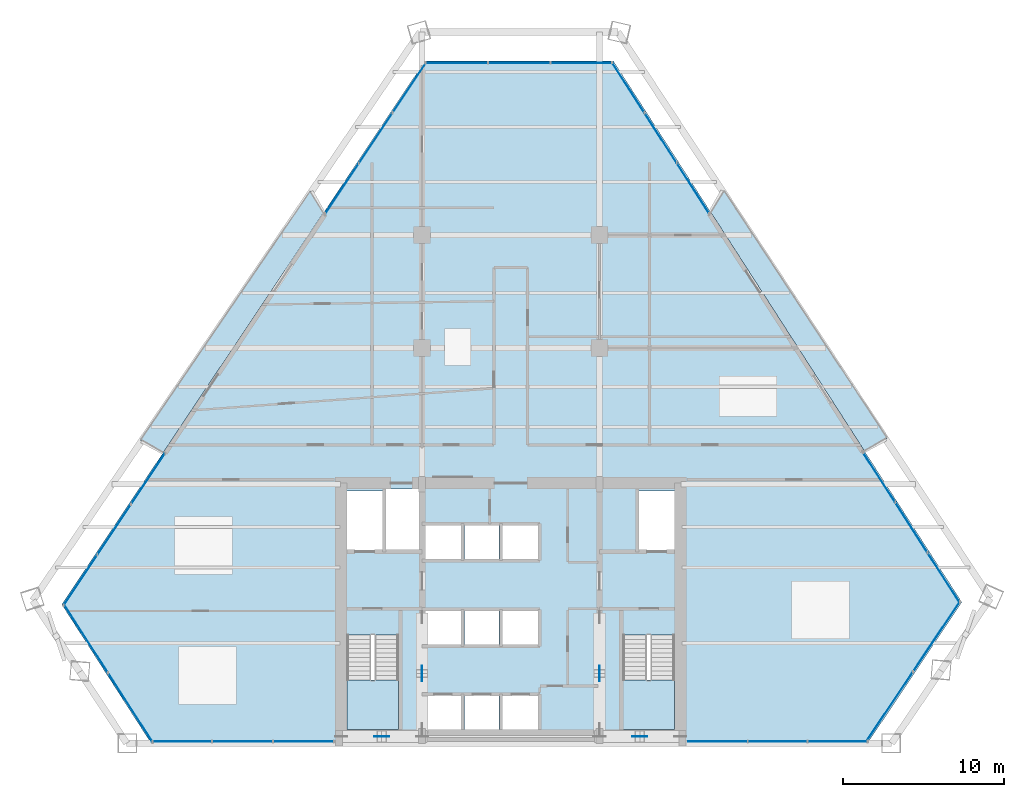
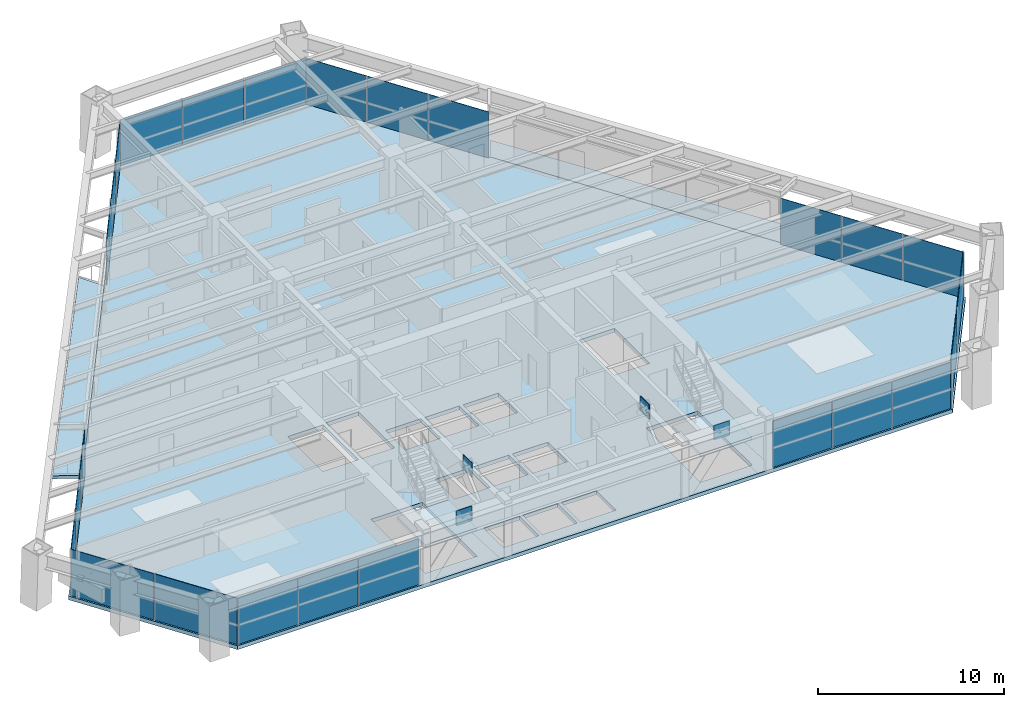
# One storey, part 9 of 14: 29 plates, 5 slabs, 11 elements without a shape of their own.
"""IFC4 building model written with IfcOpenShell, lengths in metres."""

from ifc_helpers import new_model, si_unit, direction, frame, origin, origin_2d, place, context, subcontext, project, spatial, polyline, rectangle, outline, extrude, source, transform, mapped, material, layer, layer_set, type_object, element, aggregate, save


model = new_model("IFC4")

# Units and contexts
model_context = context("Model", 3, precision=1e-05, world=origin(), true_north=direction((0.0, 1.0)))
body_context = subcontext(model_context, "Body", "Model", "MODEL_VIEW")
ifc_project = project(units=[si_unit("LENGTHUNIT", "METRE"), si_unit("AREAUNIT", "SQUARE_METRE"), si_unit("VOLUMEUNIT", "CUBIC_METRE"), si_unit("PLANEANGLEUNIT", "RADIAN"), si_unit("MASSUNIT", "GRAM", prefix="KILO")], contexts=[model_context])

# Site, building, storey
site_placement = place(None, origin())
site = spatial("IfcSite", under=ifc_project, at=site_placement, CompositionType="ELEMENT")
building_placement = place(site_placement, origin())
building = spatial("IfcBuilding", under=site, at=building_placement, Name="Varnakhor Terracotta Tower", CompositionType="ELEMENT")
storey_placement = place(building_placement, frame((0.0, 0.0, 106.199951171875)))
storey = spatial("IfcBuildingStorey", under=building, at=storey_placement, Name="L26", CompositionType="ELEMENT", Elevation=106.199951171875)

# Stair, slab
ifc_material_1 = material(Name="Concrete C40/50", Category="concrete")
stair_type = type_object("IfcStairType", Name="STR-CORE-OFFICE-1500", PredefinedType="HALF_TURN_STAIR", material=ifc_material_1)
stair_1_placement = place(storey_placement, origin())
stair_1 = element("IfcStair", 1, at=stair_1_placement, inside=storey, type_object=stair_type, Name="L26 Core Exit Stair ST-1", PredefinedType="HALF_TURN_STAIR")
ifc_layer_1 = layer(ifc_material_1, 0.179931640625, Name="Concrete C40/50")
ifc_layer_set_1 = layer_set([ifc_layer_1], Name="Concrete C40/50")
slab_type_1 = type_object("IfcSlabType", Name="SLB-LANDING-180", PredefinedType="LANDING", material=ifc_layer_set_1)
slab_1_placement = place(storey_placement, frame((0.0, 0.0, 1.650146484375)))
slab_1 = element("IfcSlab", 2, at=slab_1_placement, type_object=slab_type_1, Name="ST-1 landing 1", PredefinedType="LANDING", context=body_context, shape_type="SweptSolid", body=[
    extrude(outline(polyline([(-10.14990234375, 3.909912109375), (-10.14990234375, 0.85009765625), (-6.949951171875, 0.85009765625), (-6.949951171875, 3.909912109375), (-10.14990234375, 3.909912109375)])), origin(), (0.0, 0.0, 1.0), 0.199951171875),
])
aggregate(stair_1, [slab_1])

stair_2_placement = place(storey_placement, origin())
stair_2 = element("IfcStair", 3, at=stair_2_placement, inside=storey, type_object=stair_type, Name="L26 Core Exit Stair ST-2", PredefinedType="HALF_TURN_STAIR")
slab_2_placement = place(storey_placement, frame((0.0, 0.0, 1.650146484375)))
slab_2 = element("IfcSlab", 4, at=slab_2_placement, type_object=slab_type_1, Name="ST-2 landing 1", PredefinedType="LANDING", context=body_context, shape_type="SweptSolid", body=[
    extrude(outline(polyline([(6.949951171875, 3.909912109375), (6.949951171875, 0.85009765625), (10.14990234375, 0.85009765625), (10.14990234375, 3.909912109375), (6.949951171875, 3.909912109375)])), origin(), (0.0, 0.0, 1.0), 0.199951171875),
])
aggregate(stair_2, [slab_2])

# Slabs
ifc_layer_2 = layer(ifc_material_1, 0.195068359375, Name="Concrete C40/50")
ifc_layer_set_2 = layer_set([ifc_layer_2], Name="Concrete C40/50")
slab_type_2 = type_object("IfcSlabType", Name="SLB-LOGGIA-EXT-195", PredefinedType="FLOOR", material=ifc_layer_set_2)
slab_3_placement = place(storey_placement, frame((0.0, 0.0, -0.195068359375)))
element("IfcSlab", 5, at=slab_3_placement, inside=storey, type_object=slab_type_2, Name="L26 E Recessed Outdoor Loggia Slab", PredefinedType="FLOOR", context=body_context, shape_type="SweptSolid", body=[
    extrude(outline(polyline([(13.19921875, 34.279052734375), (23.3359375, 18.8974609375), (21.915283203125, 18.135986328125), (20.033203125, 21.0595703125), (12.41259765625, 32.897705078125), (13.19921875, 34.279052734375)])), origin(), (0.0, 0.0, 1.0), 0.195068359375),
])
slab_4_placement = place(storey_placement, frame((0.0, 0.0, -0.195068359375)))
element("IfcSlab", 6, at=slab_4_placement, inside=storey, type_object=slab_type_2, Name="L26 W Recessed Outdoor Loggia Slab", PredefinedType="FLOOR", context=body_context, shape_type="SweptSolid", body=[
    extrude(outline(polyline([(-22.959716796875, 18.79345703125), (-12.415283203125, 34.238525390625), (-11.627197265625, 32.85888671875), (-21.53466796875, 18.0361328125), (-22.959716796875, 18.79345703125)])), origin(), (0.0, 0.0, 1.0), 0.195068359375),
])
ifc_layer_3 = layer(ifc_material_1, 0.25, Name="Concrete C40/50")
ifc_layer_set_3 = layer_set([ifc_layer_3], Name="Concrete C40/50")
slab_type_3 = type_object("IfcSlabType", Name="SLB-OFF-250", PredefinedType="FLOOR", material=ifc_layer_set_3)
slab_5_placement = place(storey_placement, frame((0.0, 0.0, -0.25)))
element("IfcSlab", 7, at=slab_5_placement, inside=storey, type_object=slab_type_3, Name="L26 Structural Floor Slab", PredefinedType="FLOOR", context=body_context, shape_type="SweptSolid", body=[
    extrude(outline(polyline([(-27.83935546875, 8.603515625), (-5.322509765625, 42.29150390625), (6.365478515625, 42.29150390625), (27.96240234375, 8.7421875), (22.119140625, 0.0), (-22.301025390625, 0.0), (-27.83935546875, 8.603515625)]), holes=[polyline([(-3.10009765625, 0.85009765625), (-3.10009765625, 2.949951171875), (-5.300048828125, 2.949951171875), (-5.300048828125, 0.85009765625), (-3.10009765625, 0.85009765625)]), polyline([(-2.8798828125, 0.85009765625), (-0.719970703125, 0.85009765625), (-0.719970703125, 2.949951171875), (-2.8798828125, 2.949951171875), (-2.8798828125, 0.85009765625)]), polyline([(-10.14990234375, 0.85009765625), (-6.949951171875, 0.85009765625), (-6.949951171875, 6.695068359375), (-10.14990234375, 6.695068359375), (-10.14990234375, 0.85009765625)]), polyline([(-5.300048828125, 6.10009765625), (-3.10009765625, 6.10009765625), (-3.10009765625, 8.199951171875), (-5.300048828125, 8.199951171875), (-5.300048828125, 6.10009765625)]), polyline([(-5.300048828125, 11.419921875), (-3.10009765625, 11.419921875), (-3.10009765625, 13.52001953125), (-5.300048828125, 13.52001953125), (-5.300048828125, 11.419921875)]), polyline([(-10.14990234375, 11.8798828125), (-7.949951171875, 11.8798828125), (-7.949951171875, 15.64990234375), (-10.14990234375, 15.64990234375), (-10.14990234375, 11.8798828125)]), polyline([(-7.72998046875, 11.8798828125), (-5.699951171875, 11.8798828125), (-5.699951171875, 15.75), (-7.72998046875, 15.75), (-7.72998046875, 11.8798828125)]), polyline([(1.699951171875, 0.85009765625), (1.699951171875, 2.949951171875), (-0.5, 2.949951171875), (-0.5, 0.85009765625), (1.699951171875, 0.85009765625)]), polyline([(6.949951171875, 0.85009765625), (10.14990234375, 0.85009765625), (10.14990234375, 6.695068359375), (6.949951171875, 6.695068359375), (6.949951171875, 0.85009765625)]), polyline([(-2.8798828125, 6.10009765625), (-0.719970703125, 6.10009765625), (-0.719970703125, 8.199951171875), (-2.8798828125, 8.199951171875), (-2.8798828125, 6.10009765625)]), polyline([(-0.5, 6.10009765625), (1.699951171875, 6.10009765625), (1.699951171875, 8.199951171875), (-0.5, 8.199951171875), (-0.5, 6.10009765625)]), polyline([(-2.8798828125, 11.419921875), (-0.719970703125, 11.419921875), (-0.719970703125, 13.52001953125), (-2.8798828125, 13.52001953125), (-2.8798828125, 11.419921875)]), polyline([(-0.5, 11.419921875), (1.699951171875, 11.419921875), (1.699951171875, 13.52001953125), (-0.5, 13.52001953125), (-0.5, 11.419921875)]), polyline([(7.949951171875, 11.8798828125), (10.14990234375, 11.8798828125), (10.14990234375, 15.64990234375), (7.949951171875, 15.64990234375), (7.949951171875, 11.8798828125)])]), origin(), (0.0, 0.0, 1.0), 0.25),
])

# Plates
ifc_material_2 = material(Name="Steel S460", Category="steel")
ifc_layer_4 = layer(ifc_material_2, 0.050048828125, Name="Steel S460")
ifc_layer_set_4 = layer_set([ifc_layer_4], Name="Steel S460")
plate_type_1 = type_object("IfcPlateType", Name="PLT-GUSSET-50", PredefinedType="USERDEFINED", material=ifc_layer_set_4)
shared_shape_1 = source(origin(), body_context, "Body", "SweptSolid", [
    extrude(rectangle(XDim=0.949951171875, YDim=0.044921875, at=origin_2d()), origin(), (0.0, 0.0, 1.0), 0.949951171875),
])
for number, where, z_axis, x_axis, name in (
    (8, (-8.0, 0.419921875, 2.8251953125), (0.0, 0.0, 1.0), (1.0, 0.0, 0.0), "L26 Core Brace Apex Gusset CSW"),
    (9, (8.0, 0.419921875, 2.8251953125), (0.0, 0.0, 1.0), (1.0, 0.0, 0.0), "L26 Core Brace Apex Gusset CSE"),
    (10, (-5.5, 4.324951171875, 2.8251953125), (0.0, 0.0, 1.0), (0.0, 1.0, 0.0), "L26 Core Brace Apex Gusset CWW"),
    (11, (5.5, 4.324951171875, 2.8251953125), (0.0, 0.0, 1.0), (0.0, 1.0, 0.0), "L26 Core Brace Apex Gusset CWE"),
):
    element("IfcPlate", number, at=place(storey_placement, frame(where, z_axis=z_axis, x_axis=x_axis)), inside=storey, type_object=plate_type_1, Name=name, ObjectType="GUSSET PLATE", PredefinedType="USERDEFINED", context=body_context, shape_type="MappedRepresentation", body=[
        mapped(shared_shape_1, transform((0.0, 0.0, 0.0), scale=1.0)),
    ])

# Curtain wall, plates
ifc_material_3 = material(Name="Anodised Aluminium Curtain Wall System", Category="aluminium")
curtain_wall_type = type_object("IfcCurtainWallType", Name="CW-SYS-LOW-OFFICE", PredefinedType="NOTDEFINED", material=ifc_material_3)
curtain_wall_1_placement = place(storey_placement, origin())
curtain_wall_1 = element("IfcCurtainWall", 12, at=curtain_wall_1_placement, inside=storey, type_object=curtain_wall_type, Name="L26 W Facet Curtain Wall 1", PredefinedType="NOTDEFINED")
ifc_material_4 = material(Name="Solar-Control Low-E Insulated Glass Panel", Category="glass")
ifc_layer_5 = layer(ifc_material_4, 0.0380859375, Name="Solar-Control Low-E Insulated Glass Panel")
ifc_layer_set_5 = layer_set([ifc_layer_5], Name="Solar-Control Low-E Insulated Glass Panel")
plate_type_2 = type_object("IfcPlateType", Name="CWP-02", PredefinedType="CURTAIN_PANEL", material=ifc_layer_set_5)
shared_shape_2 = source(origin(), body_context, "Body", "SweptSolid", [
    extrude(rectangle(XDim=3.7216796875, YDim=0.035888671875, at=origin_2d()), origin(), (0.0, 0.0, 1.0), 3.030029296875),
])
plate_1_placement = place(storey_placement, frame((-26.677490234375, 10.12548828125, 0.0), z_axis=(0.0, 0.0, 1.0), x_axis=(0.555700833106, 0.831382333277, 0.0)))
plate_1 = element("IfcPlate", 13, at=plate_1_placement, type_object=plate_type_2, Name="L26 W Facet Curtain Wall 1 Glazed Panel 1", PredefinedType="CURTAIN_PANEL", context=body_context, shape_type="MappedRepresentation", body=[
    mapped(shared_shape_2, transform((0.0, 0.0, 0.0), scale=1.0)),
])
shared_shape_3 = source(origin(), body_context, "Body", "SweptSolid", [
    extrude(rectangle(XDim=3.721923828125, YDim=0.035888671875, at=origin_2d()), origin(), (0.0, 0.0, 1.0), 3.030029296875),
])
plate_2_placement = place(storey_placement, frame((-24.587158203125, 13.253173828125, 0.0), z_axis=(0.0, 0.0, 1.0), x_axis=(0.555700833106, 0.831382333277, 0.0)))
plate_2 = element("IfcPlate", 14, at=plate_2_placement, type_object=plate_type_2, Name="L26 W Facet Curtain Wall 1 Glazed Panel 2", PredefinedType="CURTAIN_PANEL", context=body_context, shape_type="MappedRepresentation", body=[
    mapped(shared_shape_3, transform((0.0, 0.0, 0.0), scale=1.0)),
])
plate_3_placement = place(storey_placement, frame((-22.49658203125, 16.380615234375, 0.0), z_axis=(0.0, 0.0, 1.0), x_axis=(0.555700833106, 0.831382333277, 0.0)))
plate_3 = element("IfcPlate", 15, at=plate_3_placement, type_object=plate_type_2, Name="L26 W Facet Curtain Wall 1 Glazed Panel 3", PredefinedType="CURTAIN_PANEL", context=body_context, shape_type="MappedRepresentation", body=[
    mapped(shared_shape_3, transform((0.0, 0.0, 0.0), scale=1.0)),
])
aggregate(curtain_wall_1, [plate_1, plate_2, plate_3])

curtain_wall_2_placement = place(storey_placement, origin())
curtain_wall_2 = element("IfcCurtainWall", 16, at=curtain_wall_2_placement, inside=storey, type_object=curtain_wall_type, Name="L26 W Facet Curtain Wall 2", PredefinedType="NOTDEFINED")
plate_4_placement = place(storey_placement, frame((-10.465576171875, 34.380859375, 0.0), z_axis=(0.0, 0.0, 1.0), x_axis=(0.555700833106, 0.831382333277, 0.0)))
plate_4 = element("IfcPlate", 17, at=plate_4_placement, type_object=plate_type_2, Name="L26 W Facet Curtain Wall 2 Glazed Panel 1", PredefinedType="CURTAIN_PANEL", context=body_context, shape_type="MappedRepresentation", body=[
    mapped(shared_shape_3, transform((0.0, 0.0, 0.0), scale=1.0)),
])
plate_5_placement = place(storey_placement, frame((-8.375, 37.50830078125, 0.0), z_axis=(0.0, 0.0, 1.0), x_axis=(0.555700833106, 0.831382333277, 0.0)))
plate_5 = element("IfcPlate", 18, at=plate_5_placement, type_object=plate_type_2, Name="L26 W Facet Curtain Wall 2 Glazed Panel 2", PredefinedType="CURTAIN_PANEL", context=body_context, shape_type="MappedRepresentation", body=[
    mapped(shared_shape_3, transform((0.0, 0.0, 0.0), scale=1.0)),
])
plate_6_placement = place(storey_placement, frame((-6.284423828125, 40.635986328125, 0.0), z_axis=(0.0, 0.0, 1.0), x_axis=(0.555700833106, 0.831382333277, 0.0)))
plate_6 = element("IfcPlate", 19, at=plate_6_placement, type_object=plate_type_2, Name="L26 W Facet Curtain Wall 2 Glazed Panel 3", PredefinedType="CURTAIN_PANEL", context=body_context, shape_type="MappedRepresentation", body=[
    mapped(shared_shape_3, transform((0.0, 0.0, 0.0), scale=1.0)),
])
aggregate(curtain_wall_2, [plate_4, plate_5, plate_6])

curtain_wall_3_placement = place(storey_placement, origin())
curtain_wall_3 = element("IfcCurtainWall", 20, at=curtain_wall_3_placement, inside=storey, type_object=curtain_wall_type, Name="L26 Facet Curtain Wall 2", PredefinedType="NOTDEFINED")
shared_shape_4 = source(origin(), body_context, "Body", "SweptSolid", [
    extrude(rectangle(XDim=3.8359375, YDim=0.035888671875, at=origin_2d()), origin(), (0.0, 0.0, 1.0), 3.030029296875),
])
plate_7_placement = place(storey_placement, frame((-3.3544921875, 42.17138671875, 0.0), z_axis=(0.0, 0.0, 1.0), x_axis=(1.0, 0.0, 0.0)))
plate_7 = element("IfcPlate", 21, at=plate_7_placement, type_object=plate_type_2, Name="L26 Facet Curtain Wall 2 Glazed Panel 1", PredefinedType="CURTAIN_PANEL", context=body_context, shape_type="MappedRepresentation", body=[
    mapped(shared_shape_4, transform((0.0, 0.0, 0.0), scale=1.0)),
])
plate_8_placement = place(storey_placement, frame((0.521484375, 42.17138671875, 0.0), z_axis=(0.0, 0.0, 1.0), x_axis=(1.0, 0.0, 0.0)))
plate_8 = element("IfcPlate", 22, at=plate_8_placement, type_object=plate_type_2, Name="L26 Facet Curtain Wall 2 Glazed Panel 2", PredefinedType="CURTAIN_PANEL", context=body_context, shape_type="MappedRepresentation", body=[
    mapped(shared_shape_4, transform((0.0, 0.0, 0.0), scale=1.0)),
])
plate_9_placement = place(storey_placement, frame((4.3974609375, 42.17138671875, 0.0), z_axis=(0.0, 0.0, 1.0), x_axis=(1.0, 0.0, 0.0)))
plate_9 = element("IfcPlate", 23, at=plate_9_placement, type_object=plate_type_2, Name="L26 Facet Curtain Wall 2 Glazed Panel 3", PredefinedType="CURTAIN_PANEL", context=body_context, shape_type="MappedRepresentation", body=[
    mapped(shared_shape_4, transform((0.0, 0.0, 0.0), scale=1.0)),
])
aggregate(curtain_wall_3, [plate_7, plate_8, plate_9])

curtain_wall_4_placement = place(storey_placement, origin())
curtain_wall_4 = element("IfcCurtainWall", 24, at=curtain_wall_4_placement, inside=storey, type_object=curtain_wall_type, Name="L26 E Facet Curtain Wall 1", PredefinedType="NOTDEFINED")
shared_shape_5 = source(origin(), body_context, "Body", "SweptSolid", [
    extrude(rectangle(XDim=3.663818359375, YDim=0.035888671875, at=origin_2d()), origin(), (0.0, 0.0, 1.0), 3.030029296875),
])
plate_10_placement = place(storey_placement, frame((7.283203125, 40.64404296875, 0.0), z_axis=(0.0, 0.0, 1.0), x_axis=(0.541282691923, -0.840840678978, 0.0)))
plate_10 = element("IfcPlate", 25, at=plate_10_placement, type_object=plate_type_2, Name="L26 E Facet Curtain Wall 1 Glazed Panel 1", PredefinedType="CURTAIN_PANEL", context=body_context, shape_type="MappedRepresentation", body=[
    mapped(shared_shape_5, transform((0.0, 0.0, 0.0), scale=1.0)),
])
plate_11_placement = place(storey_placement, frame((11.293212890625, 34.4150390625, 0.0), z_axis=(0.0, 0.0, 1.0), x_axis=(0.541282691923, -0.840840678978, 0.0)))
plate_11 = element("IfcPlate", 26, at=plate_11_placement, type_object=plate_type_2, Name="L26 E Facet Curtain Wall 1 Glazed Panel 3", PredefinedType="CURTAIN_PANEL", context=body_context, shape_type="MappedRepresentation", body=[
    mapped(shared_shape_5, transform((0.0, 0.0, 0.0), scale=1.0)),
])

curtain_wall_5_placement = place(storey_placement, origin())
curtain_wall_5 = element("IfcCurtainWall", 27, at=curtain_wall_5_placement, inside=storey, type_object=curtain_wall_type, Name="L26 E Facet Curtain Wall 2", PredefinedType="NOTDEFINED")
plate_12_placement = place(storey_placement, frame((22.8330078125, 16.488525390625, 0.0), z_axis=(0.0, 0.0, 1.0), x_axis=(0.541282691923, -0.840840678978, 0.0)))
plate_12 = element("IfcPlate", 28, at=plate_12_placement, type_object=plate_type_2, Name="L26 E Facet Curtain Wall 2 Glazed Panel 1", PredefinedType="CURTAIN_PANEL", context=body_context, shape_type="MappedRepresentation", body=[
    mapped(shared_shape_5, transform((0.0, 0.0, 0.0), scale=1.0)),
])
plate_13_placement = place(storey_placement, frame((26.8427734375, 10.259521484375, 0.0), z_axis=(0.0, 0.0, 1.0), x_axis=(0.541282691923, -0.840840678978, 0.0)))
plate_13 = element("IfcPlate", 29, at=plate_13_placement, type_object=plate_type_2, Name="L26 E Facet Curtain Wall 2 Glazed Panel 3", PredefinedType="CURTAIN_PANEL", context=body_context, shape_type="MappedRepresentation", body=[
    mapped(shared_shape_5, transform((0.0, 0.0, 0.0), scale=1.0)),
])

# Plate
shared_shape_6 = source(origin(), body_context, "Body", "SweptSolid", [
    extrude(rectangle(XDim=3.6640625, YDim=0.035888671875, at=origin_2d()), origin(), (0.0, 0.0, 1.0), 3.030029296875),
])
plate_14_placement = place(storey_placement, frame((9.2880859375, 37.529541015625, 0.0), z_axis=(0.0, 0.0, 1.0), x_axis=(0.541282691923, -0.840840678978, 0.0)))
plate_14 = element("IfcPlate", 30, at=plate_14_placement, type_object=plate_type_2, Name="L26 E Facet Curtain Wall 1 Glazed Panel 2", PredefinedType="CURTAIN_PANEL", context=body_context, shape_type="MappedRepresentation", body=[
    mapped(shared_shape_6, transform((0.0, 0.0, 0.0), scale=1.0)),
])

aggregate(curtain_wall_4, [plate_10, plate_14, plate_11])

plate_15_placement = place(storey_placement, frame((24.837890625, 13.3740234375, 0.0), z_axis=(0.0, 0.0, 1.0), x_axis=(0.541282691923, -0.840840678978, 0.0)))
plate_15 = element("IfcPlate", 31, at=plate_15_placement, type_object=plate_type_2, Name="L26 E Facet Curtain Wall 2 Glazed Panel 2", PredefinedType="CURTAIN_PANEL", context=body_context, shape_type="MappedRepresentation", body=[
    mapped(shared_shape_6, transform((0.0, 0.0, 0.0), scale=1.0)),
])

aggregate(curtain_wall_5, [plate_12, plate_15, plate_13])

# Curtain wall, plates
curtain_wall_6_placement = place(storey_placement, origin())
curtain_wall_6 = element("IfcCurtainWall", 32, at=curtain_wall_6_placement, inside=storey, type_object=curtain_wall_type, Name="L26 Facet Curtain Wall 4", PredefinedType="NOTDEFINED")
shared_shape_7 = source(origin(), body_context, "Body", "SweptSolid", [
    extrude(rectangle(XDim=5.1875, YDim=0.035888671875, at=origin_2d()), origin(), (0.0, 0.0, 1.0), 3.030029296875),
])
plate_16_placement = place(storey_placement, frame((26.393310546875, 6.610595703125, 0.0), z_axis=(0.0, 0.0, 1.0), x_axis=(-0.555700833106, -0.831382333277, 0.0)))
plate_16 = element("IfcPlate", 33, at=plate_16_placement, type_object=plate_type_2, Name="L26 Facet Curtain Wall 4 Glazed Panel 1", PredefinedType="CURTAIN_PANEL", context=body_context, shape_type="MappedRepresentation", body=[
    mapped(shared_shape_7, transform((0.0, 0.0, 0.0), scale=1.0)),
])
plate_17_placement = place(storey_placement, frame((23.488525390625, 2.2646484375, 0.0), z_axis=(0.0, 0.0, 1.0), x_axis=(-0.555700833106, -0.831382333277, 0.0)))
plate_17 = element("IfcPlate", 34, at=plate_17_placement, type_object=plate_type_2, Name="L26 Facet Curtain Wall 4 Glazed Panel 2", PredefinedType="CURTAIN_PANEL", context=body_context, shape_type="MappedRepresentation", body=[
    mapped(shared_shape_7, transform((0.0, 0.0, 0.0), scale=1.0)),
])
aggregate(curtain_wall_6, [plate_16, plate_17])

curtain_wall_7_placement = place(storey_placement, origin())
curtain_wall_7 = element("IfcCurtainWall", 35, at=curtain_wall_7_placement, inside=storey, type_object=curtain_wall_type, Name="L26 South Wing Curtain Wall SSE", PredefinedType="NOTDEFINED")
shared_shape_8 = source(origin(), body_context, "Body", "SweptSolid", [
    extrude(rectangle(XDim=3.673095703125, YDim=0.035888671875, at=origin_2d()), origin(), (0.0, 0.0, 1.0), 3.030029296875),
])
plate_18_placement = place(storey_placement, frame((20.252685546875, 0.1201171875, 0.0), z_axis=(0.0, 0.0, 1.0), x_axis=(-1.0, 0.0, 0.0)))
plate_18 = element("IfcPlate", 36, at=plate_18_placement, type_object=plate_type_2, Name="L26 South Wing Curtain Wall SSE Glazed Panel 1", PredefinedType="CURTAIN_PANEL", context=body_context, shape_type="MappedRepresentation", body=[
    mapped(shared_shape_8, transform((0.0, 0.0, 0.0), scale=1.0)),
])
plate_19_placement = place(storey_placement, frame((16.53955078125, 0.1201171875, 0.0), z_axis=(0.0, 0.0, 1.0), x_axis=(-1.0, 0.0, 0.0)))
plate_19 = element("IfcPlate", 37, at=plate_19_placement, type_object=plate_type_2, Name="L26 South Wing Curtain Wall SSE Glazed Panel 2", PredefinedType="CURTAIN_PANEL", context=body_context, shape_type="MappedRepresentation", body=[
    mapped(shared_shape_8, transform((0.0, 0.0, 0.0), scale=1.0)),
])
plate_20_placement = place(storey_placement, frame((12.826416015625, 0.1201171875, 0.0), z_axis=(0.0, 0.0, 1.0), x_axis=(-1.0, 0.0, 0.0)))
plate_20 = element("IfcPlate", 38, at=plate_20_placement, type_object=plate_type_2, Name="L26 South Wing Curtain Wall SSE Glazed Panel 3", PredefinedType="CURTAIN_PANEL", context=body_context, shape_type="MappedRepresentation", body=[
    mapped(shared_shape_8, transform((0.0, 0.0, 0.0), scale=1.0)),
])
aggregate(curtain_wall_7, [plate_18, plate_19, plate_20])

curtain_wall_8_placement = place(storey_placement, origin())
curtain_wall_8 = element("IfcCurtainWall", 39, at=curtain_wall_8_placement, inside=storey, type_object=curtain_wall_type, Name="L26 South Wing Curtain Wall SSW", PredefinedType="NOTDEFINED")
shared_shape_9 = source(origin(), body_context, "Body", "SweptSolid", [
    extrude(rectangle(XDim=3.733642578125, YDim=0.035888671875, at=origin_2d()), origin(), (0.0, 0.0, 1.0), 3.030029296875),
])
plate_21_placement = place(storey_placement, frame((-12.85693359375, 0.1201171875, 0.0), z_axis=(0.0, 0.0, 1.0), x_axis=(-1.0, 0.0, 0.0)))
plate_21 = element("IfcPlate", 40, at=plate_21_placement, type_object=plate_type_2, Name="L26 South Wing Curtain Wall SSW Glazed Panel 1", PredefinedType="CURTAIN_PANEL", context=body_context, shape_type="MappedRepresentation", body=[
    mapped(shared_shape_9, transform((0.0, 0.0, 0.0), scale=1.0)),
])
plate_22_placement = place(storey_placement, frame((-16.630615234375, 0.1201171875, 0.0), z_axis=(0.0, 0.0, 1.0), x_axis=(-1.0, 0.0, 0.0)))
plate_22 = element("IfcPlate", 41, at=plate_22_placement, type_object=plate_type_2, Name="L26 South Wing Curtain Wall SSW Glazed Panel 2", PredefinedType="CURTAIN_PANEL", context=body_context, shape_type="MappedRepresentation", body=[
    mapped(shared_shape_9, transform((0.0, 0.0, 0.0), scale=1.0)),
])
plate_23_placement = place(storey_placement, frame((-20.404296875, 0.1201171875, 0.0), z_axis=(0.0, 0.0, 1.0), x_axis=(-1.0, 0.0, 0.0)))
plate_23 = element("IfcPlate", 42, at=plate_23_placement, type_object=plate_type_2, Name="L26 South Wing Curtain Wall SSW Glazed Panel 3", PredefinedType="CURTAIN_PANEL", context=body_context, shape_type="MappedRepresentation", body=[
    mapped(shared_shape_9, transform((0.0, 0.0, 0.0), scale=1.0)),
])
aggregate(curtain_wall_8, [plate_21, plate_22, plate_23])

curtain_wall_9_placement = place(storey_placement, origin())
curtain_wall_9 = element("IfcCurtainWall", 43, at=curtain_wall_9_placement, inside=storey, type_object=curtain_wall_type, Name="L26 Facet Curtain Wall 6", PredefinedType="NOTDEFINED")
shared_shape_10 = source(origin(), body_context, "Body", "SweptSolid", [
    extrude(rectangle(XDim=5.0458984375, YDim=0.035888671875, at=origin_2d()), origin(), (0.0, 0.0, 1.0), 3.030029296875),
])
plate_24_placement = place(storey_placement, frame((-23.5927734375, 2.228515625, 0.0), z_axis=(0.0, 0.0, 1.0), x_axis=(-0.541268016402, 0.840850126015, 0.0)))
plate_24 = element("IfcPlate", 44, at=plate_24_placement, type_object=plate_type_2, Name="L26 Facet Curtain Wall 6 Glazed Panel 1", PredefinedType="CURTAIN_PANEL", context=body_context, shape_type="MappedRepresentation", body=[
    mapped(shared_shape_10, transform((0.0, 0.0, 0.0), scale=1.0)),
])
plate_25_placement = place(storey_placement, frame((-26.345703125, 6.5048828125, 0.0), z_axis=(0.0, 0.0, 1.0), x_axis=(-0.541268016402, 0.840850126015, 0.0)))
plate_25 = element("IfcPlate", 45, at=plate_25_placement, type_object=plate_type_2, Name="L26 Facet Curtain Wall 6 Glazed Panel 2", PredefinedType="CURTAIN_PANEL", context=body_context, shape_type="MappedRepresentation", body=[
    mapped(shared_shape_10, transform((0.0, 0.0, 0.0), scale=1.0)),
])
aggregate(curtain_wall_9, [plate_24, plate_25])

save(model, "model.ifc")
